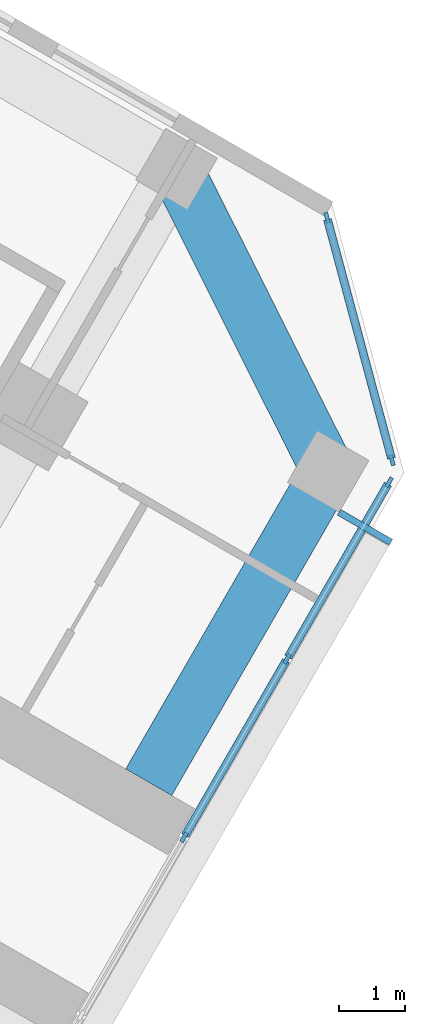
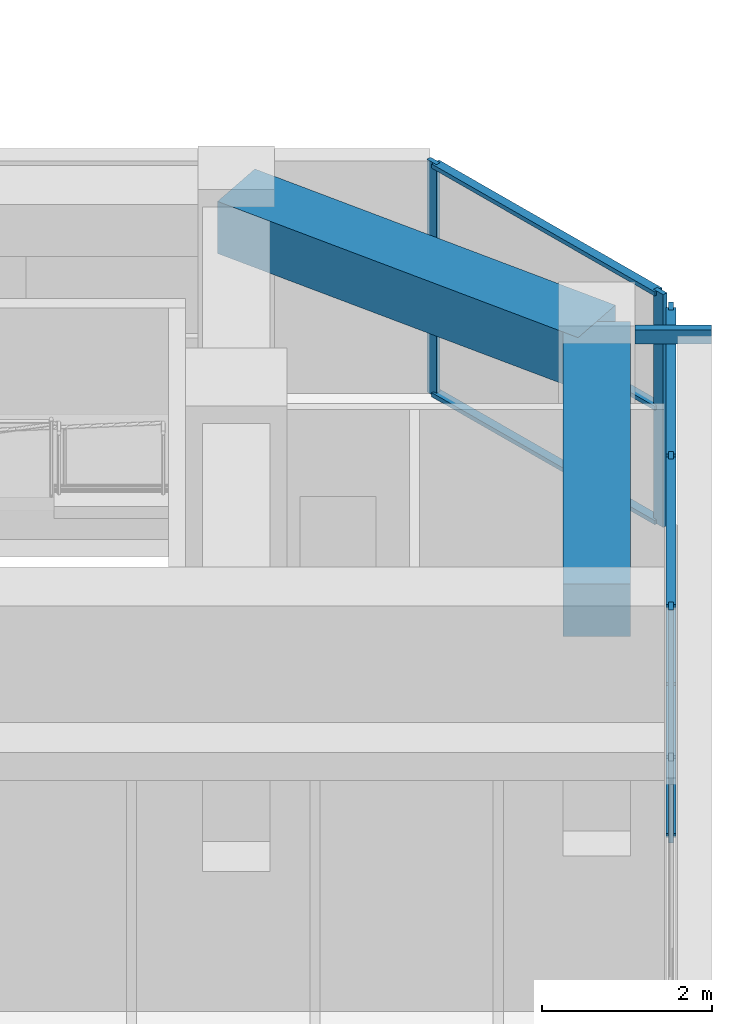
# One storey, part 8 of 19: 13 members, 2 beams, 2 elements without a shape of their own.
"""IFC4 building model written with IfcOpenShell, lengths in metres."""

from ifc_helpers import new_model, si_unit, direction, frame, origin, origin_2d, place, context, subcontext, project, spatial, rectangle, hollow_rectangle, extrude, material, material_profile, profile_set, type_object, element, aggregate, save


model = new_model("IFC4")

# Units and contexts
model_context = context("Model", 3, precision=1e-05, world=origin(), true_north=direction((0.0, 1.0)))
body_context = subcontext(model_context, "Body", "Model", "MODEL_VIEW")
ifc_project = project(units=[si_unit("LENGTHUNIT", "METRE"), si_unit("AREAUNIT", "SQUARE_METRE"), si_unit("VOLUMEUNIT", "CUBIC_METRE"), si_unit("PLANEANGLEUNIT", "RADIAN"), si_unit("MASSUNIT", "GRAM", prefix="KILO")], contexts=[model_context])

# Site, building, storey
site_placement = place(None, origin())
site = spatial("IfcSite", under=ifc_project, at=site_placement, CompositionType="ELEMENT")
building_placement = place(site_placement, origin())
building = spatial("IfcBuilding", under=site, at=building_placement, Name="Kosmar Iwan School Tower", CompositionType="ELEMENT")
storey_placement = place(building_placement, frame((0.0, 0.0, 138.199951171875)))
storey = spatial("IfcBuildingStorey", under=building, at=storey_placement, Name="L34", CompositionType="ELEMENT", Elevation=138.199951171875)

# Member
ifc_material_1 = material(Name="Steel S355", Category="steel")
ifc_material_profile_1 = material_profile(ifc_material_1, hollow_rectangle(XDim=0.10009765625, YDim=0.199951171875, WallThickness=0.008056640625, at=origin_2d()), Name="RHS 200x100x8")
ifc_profile_set_1 = profile_set([ifc_material_profile_1], Name="Steel S355")
member_type_1 = type_object("IfcMemberType", Name="Fin bracket RHS 200x100", PredefinedType="USERDEFINED", material=ifc_profile_set_1)
member_1_placement = place(storey_placement, frame((32.963134765625, -11.006103515625, 3.47509765625), z_axis=(0.866081705922, -0.499902469156, 0.0), x_axis=(0.499902469156, 0.866081705922, 0.0)))
element("IfcMember", 1, at=member_1_placement, inside=storey, type_object=member_type_1, Name="Fin bracket L35", ObjectType="FIN BRACKET", PredefinedType="USERDEFINED", context=body_context, shape_type="SweptSolid", body=[
    extrude(hollow_rectangle(XDim=0.10009765625, YDim=0.199951171875, WallThickness=0.008056640625, at=origin_2d()), origin(), (0.0, 0.0, 1.0), 0.900146484375),
])

# Curtain wall, members
ifc_material_2 = material(Name="Dark glass in black aluminium frame", Category="aluminium")
curtain_wall_type_1 = type_object("IfcCurtainWallType", Name="Tower curtain wall dark glass", PredefinedType="USERDEFINED", material=ifc_material_2)
curtain_wall_1_placement = place(storey_placement, origin())
curtain_wall_1 = element("IfcCurtainWall", 2, at=curtain_wall_1_placement, inside=storey, type_object=curtain_wall_type_1, Name="Curtain wall L34-F03", ObjectType="UNITISED CURTAIN WALL", PredefinedType="USERDEFINED")
ifc_material_3 = material(Name="Black anodised aluminium", Category="aluminium")
ifc_material_profile_2 = material_profile(ifc_material_3, rectangle(XDim=0.06005859375, YDim=0.159912109375, at=origin_2d()), Name="MULLION 60x160")
ifc_profile_set_2 = profile_set([ifc_material_profile_2], Name="Black anodised aluminium")
member_type_2 = type_object("IfcMemberType", Name="Mullion 60x160", PredefinedType="MULLION", material=ifc_profile_set_2)
member_2_placement = place(storey_placement, frame((30.631103515625, -15.8955078125, 0.0), z_axis=(0.0, 0.0, 1.0), x_axis=(-0.866025405329, 0.499999997325, 0.0)))
member_2 = element("IfcMember", 3, at=member_2_placement, type_object=member_type_2, Name="CW1 mullion 4", PredefinedType="MULLION", context=body_context, shape_type="SweptSolid", body=[
    extrude(rectangle(XDim=0.06005859375, YDim=0.159912109375, at=origin_2d()), origin(), (0.0, 0.0, 1.0), 3.35009765625),
])
member_3_placement = place(storey_placement, frame((32.1806640625, -13.21142578125, 0.0), z_axis=(0.0, 0.0, 1.0), x_axis=(-0.866025405329, 0.499999997325, 0.0)))
member_3 = element("IfcMember", 4, at=member_3_placement, type_object=member_type_2, Name="CW1 mullion 5", PredefinedType="MULLION", context=body_context, shape_type="SweptSolid", body=[
    extrude(rectangle(XDim=0.06005859375, YDim=0.159912109375, at=origin_2d()), origin(), (0.0, 0.0, 1.0), 3.35009765625),
])
member_4_placement = place(storey_placement, frame((33.71533203125, -10.55322265625, 0.0), z_axis=(0.0, 0.0, 1.0), x_axis=(-0.866025405329, 0.499999997325, 0.0)))
member_4 = element("IfcMember", 5, at=member_4_placement, type_object=member_type_2, Name="CW1 mullion 6", PredefinedType="MULLION", context=body_context, shape_type="SweptSolid", body=[
    extrude(rectangle(XDim=0.06005859375, YDim=0.159912109375, at=origin_2d()), origin(), (0.0, 0.0, 1.0), 3.35009765625),
])

ifc_material_4 = material(Name="Dark glass in black aluminium frame", Category="aluminium")
curtain_wall_type_2 = type_object("IfcCurtainWallType", Name="Chamfer curtain wall dark glass", PredefinedType="USERDEFINED", material=ifc_material_4)
curtain_wall_2_placement = place(storey_placement, origin())
curtain_wall_2 = element("IfcCurtainWall", 6, at=curtain_wall_2_placement, inside=storey, type_object=curtain_wall_type_2, Name="Curtain wall L34-F04", ObjectType="FACETED CURTAIN WALL", PredefinedType="USERDEFINED")
member_5_placement = place(storey_placement, frame((33.7587890625, -10.2236328125, 0.0), z_axis=(0.0, 0.0, 1.0), x_axis=(-0.965925875495, -0.258818861462, 0.0)))
member_5 = element("IfcMember", 7, at=member_5_placement, type_object=member_type_2, Name="CW2 mullion 1", PredefinedType="MULLION", context=body_context, shape_type="SweptSolid", body=[
    extrude(rectangle(XDim=0.06005859375, YDim=0.159912109375, at=origin_2d()), origin(), (0.0, 0.0, 1.0), 3.35009765625),
])
member_6_placement = place(storey_placement, frame((32.78076171875, -6.5732421875, 0.0), z_axis=(0.0, 0.0, 1.0), x_axis=(-0.965925875495, -0.258818861462, 0.0)))
member_6 = element("IfcMember", 8, at=member_6_placement, type_object=member_type_2, Name="CW2 mullion 2", PredefinedType="MULLION", context=body_context, shape_type="SweptSolid", body=[
    extrude(rectangle(XDim=0.06005859375, YDim=0.159912109375, at=origin_2d()), origin(), (0.0, 0.0, 1.0), 3.35009765625),
])

# Beams
ifc_material_5 = material(Name="Concrete C50/60", Category="concrete")
ifc_material_profile_3 = material_profile(ifc_material_5, rectangle(XDim=0.800048828125, YDim=0.75, at=origin_2d()), Name="RC 800x750")
ifc_profile_set_3 = profile_set([ifc_material_profile_3], Name="Concrete C50/60")
beam_type = type_object("IfcBeamType", Name="RC tip beam 800x750", PredefinedType="BEAM", material=ifc_profile_set_3)
beam_1_placement = place(storey_placement, frame((30.517822265625, -5.841552734375, 2.97509765625), z_axis=(0.44809604203, -0.893985423325, 0.0), x_axis=(0.893985423325, 0.44809604203, 0.0)))
element("IfcBeam", 9, at=beam_1_placement, inside=storey, type_object=beam_type, Name="Tip beam CL", PredefinedType="BEAM", context=body_context, shape_type="SweptSolid", body=[
    extrude(rectangle(XDim=0.800048828125, YDim=0.75, at=origin_2d()), origin(), (0.0, 0.0, 1.0), 5.08935546875),
])
beam_2_placement = place(storey_placement, frame((32.79833984375, -10.391357421875, 2.97509765625), z_axis=(-0.499995103361, -0.866028230842, 0.0), x_axis=(0.866028230842, -0.499995103361, 0.0)))
element("IfcBeam", 10, at=beam_2_placement, inside=storey, type_object=beam_type, Name="Tip beam CL to corridor wall", PredefinedType="BEAM", context=body_context, shape_type="SweptSolid", body=[
    extrude(rectangle(XDim=0.800048828125, YDim=0.75, at=origin_2d()), origin(), (0.0, 0.0, 1.0), 5.39990234375),
])

# Member
ifc_material_6 = material(Name="Black anodised aluminium", Category="aluminium")
ifc_material_profile_4 = material_profile(ifc_material_6, rectangle(XDim=0.1201171875, YDim=0.06005859375, at=origin_2d()), Name="TRANSOM 60x120")
ifc_profile_set_4 = profile_set([ifc_material_profile_4], Name="Black anodised aluminium")
member_type_3 = type_object("IfcMemberType", Name="Transom 60x120", PredefinedType="USERDEFINED", material=ifc_profile_set_4)
member_7_placement = place(storey_placement, frame((30.64599609375, -15.869384765625, 0.030029296875), z_axis=(0.500035348339, 0.866004994449, 0.0), x_axis=(-0.866004994449, 0.500035348339, 0.0)))
member_7 = element("IfcMember", 11, at=member_7_placement, type_object=member_type_3, Name="CW1 transom 4.1", ObjectType="TRANSOM", PredefinedType="USERDEFINED", context=body_context, shape_type="SweptSolid", body=[
    extrude(rectangle(XDim=0.1201171875, YDim=0.06005859375, at=origin_2d()), origin(), (0.0, 0.0, 1.0), 3.039306640625),
])

member_8_placement = place(storey_placement, frame((30.64599609375, -15.869384765625, 3.320068359375), z_axis=(0.500035348339, 0.866004994449, 0.0), x_axis=(-0.866004994449, 0.500035348339, 0.0)))
member_8 = element("IfcMember", 12, at=member_8_placement, type_object=member_type_3, Name="CW1 transom 4.2", ObjectType="TRANSOM", PredefinedType="USERDEFINED", context=body_context, shape_type="SweptSolid", body=[
    extrude(rectangle(XDim=0.1201171875, YDim=0.06005859375, at=origin_2d()), origin(), (0.0, 0.0, 1.0), 3.039306640625),
])

member_9_placement = place(storey_placement, frame((32.19580078125, -13.185302734375, 0.030029296875), z_axis=(0.500022102064, 0.866012642776, 0.0), x_axis=(-0.866012642776, 0.500022102064, 0.0)))
member_9 = element("IfcMember", 13, at=member_9_placement, type_object=member_type_3, Name="CW1 transom 5.1", ObjectType="TRANSOM", PredefinedType="USERDEFINED", context=body_context, shape_type="SweptSolid", body=[
    extrude(rectangle(XDim=0.1201171875, YDim=0.06005859375, at=origin_2d()), origin(), (0.0, 0.0, 1.0), 3.009033203125),
])

member_10_placement = place(storey_placement, frame((32.19580078125, -13.185302734375, 3.320068359375), z_axis=(0.500022102064, 0.866012642776, 0.0), x_axis=(-0.866012642776, 0.500022102064, 0.0)))
member_10 = element("IfcMember", 14, at=member_10_placement, type_object=member_type_3, Name="CW1 transom 5.2", ObjectType="TRANSOM", PredefinedType="USERDEFINED", context=body_context, shape_type="SweptSolid", body=[
    extrude(rectangle(XDim=0.1201171875, YDim=0.06005859375, at=origin_2d()), origin(), (0.0, 0.0, 1.0), 3.009033203125),
])

aggregate(curtain_wall_1, [member_2, member_3, member_4, member_7, member_8, member_9, member_10])

member_11_placement = place(storey_placement, frame((33.7509765625, -10.194580078125, 0.030029296875), z_axis=(-0.258843273983, 0.965919333854, 0.0), x_axis=(-0.965919333854, -0.258843273983, 0.0)))
member_11 = element("IfcMember", 15, at=member_11_placement, type_object=member_type_3, Name="CW2 transom 1.1", ObjectType="TRANSOM", PredefinedType="USERDEFINED", context=body_context, shape_type="SweptSolid", body=[
    extrude(rectangle(XDim=0.1201171875, YDim=0.06005859375, at=origin_2d()), origin(), (0.0, 0.0, 1.0), 3.718994140625),
])

member_12_placement = place(storey_placement, frame((33.7509765625, -10.194580078125, 1.675048828125), z_axis=(-0.258843273983, 0.965919333854, 0.0), x_axis=(-0.965919333854, -0.258843273983, 0.0)))
member_12 = element("IfcMember", 16, at=member_12_placement, type_object=member_type_3, Name="CW2 transom 1.2", ObjectType="TRANSOM", PredefinedType="USERDEFINED", context=body_context, shape_type="SweptSolid", body=[
    extrude(rectangle(XDim=0.1201171875, YDim=0.06005859375, at=origin_2d()), origin(), (0.0, 0.0, 1.0), 3.718994140625),
])

member_13_placement = place(storey_placement, frame((33.7509765625, -10.194580078125, 3.320068359375), z_axis=(-0.258843273983, 0.965919333854, 0.0), x_axis=(-0.965919333854, -0.258843273983, 0.0)))
member_13 = element("IfcMember", 17, at=member_13_placement, type_object=member_type_3, Name="CW2 transom 1.3", ObjectType="TRANSOM", PredefinedType="USERDEFINED", context=body_context, shape_type="SweptSolid", body=[
    extrude(rectangle(XDim=0.1201171875, YDim=0.06005859375, at=origin_2d()), origin(), (0.0, 0.0, 1.0), 3.718994140625),
])

aggregate(curtain_wall_2, [member_5, member_6, member_11, member_12, member_13])

save(model, "model.ifc")
